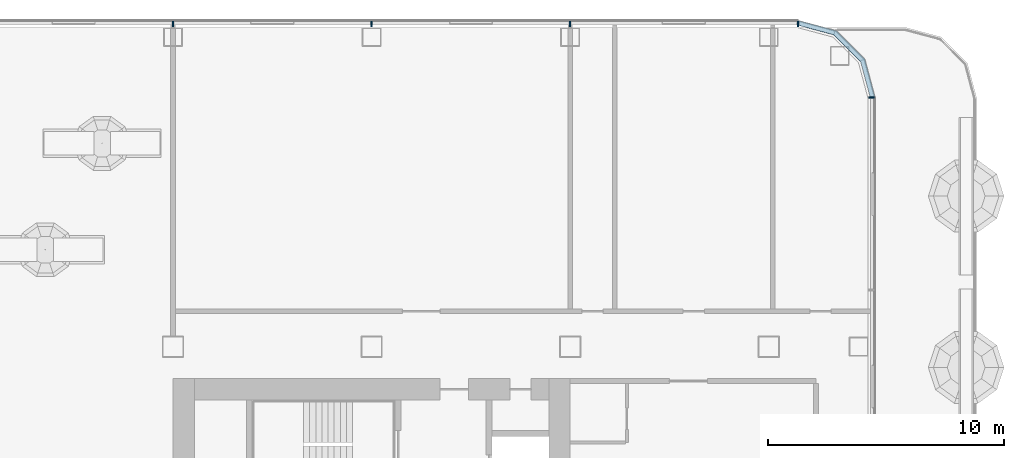
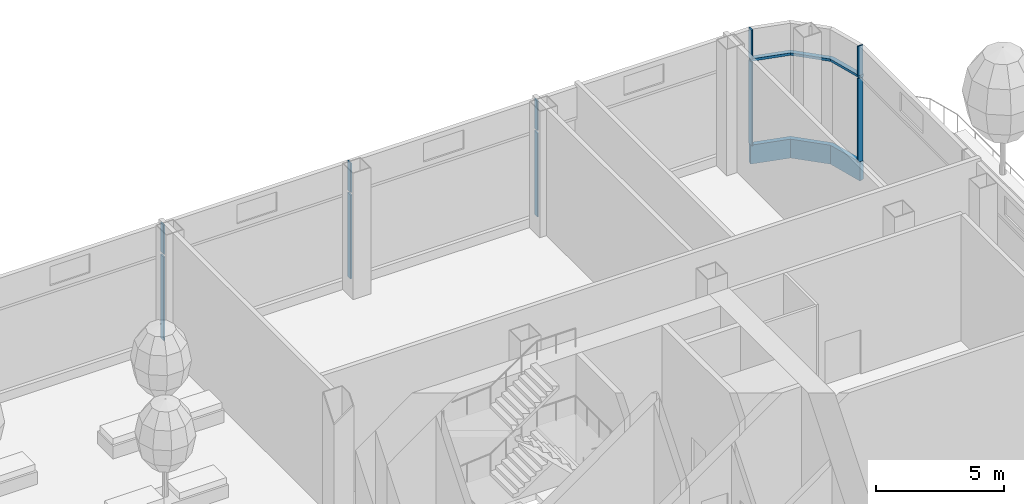
# One storey, part 10 of 44: 12 members, 3 elements without a shape of their own.
"""IFC4 building model written with IfcOpenShell, lengths in metres."""

import ifcopenshell
import ifcopenshell.guid

model = None  # the IFC model being written
_history = None  # IfcOwnerHistory: only IFC2X3 demands one
_inside = {}  # id of a spatial element -> (the spatial element, [elements in it])
_under = {}  # id of a project, library or spatial element -> (it, [spatial elements below it])
_declared = {}  # id of a project -> (the project, [libraries it declares])
_typed = {}  # id of a type object -> (the type object, [elements of that type])
_made_of = {}  # id of a material, layer set ... -> (it, [elements and type objects made of it])


def new_model(schema):
    """Start an empty IFC model of exactly this schema.

    Asked for "IFC4X3", IfcOpenShell would pick the latest addendum, in which some entities
    have other attributes; the version numbers below select the first issue.
    IFC2X3 requires an IfcOwnerHistory on every rooted entity: one is made here for all.
    """
    global model, _history
    if schema == "IFC4X3":
        model = ifcopenshell.file(schema_version=(4, 3, 0, 0))
    else:
        model = ifcopenshell.file(schema=schema)
    _inside.clear()
    _under.clear()
    _declared.clear()
    _typed.clear()
    _made_of.clear()
    _history = None
    if model.schema == "IFC2X3":
        org = make("IfcOrganization", Name="unknown")
        user = make(
            "IfcPersonAndOrganization",
            ThePerson=make("IfcPerson", FamilyName="unknown"),
            TheOrganization=org,
        )
        app = make(
            "IfcApplication",
            ApplicationDeveloper=org,
            Version="unknown",
            ApplicationFullName="unknown",
            ApplicationIdentifier="unknown",
        )
        _history = make(
            "IfcOwnerHistory",
            OwningUser=user,
            OwningApplication=app,
            ChangeAction="ADDED",
            CreationDate=0,
        )
    return model


def make(cls, **values):
    """One entity of the class cls with the attributes given. An attribute that is None is left unset."""
    return model.create_entity(
        cls, **{name: value for name, value in values.items() if value is not None}
    )


def rooted(cls, **values):
    """An entity with a GlobalId (a new one), such as an element, a storey or a relation."""
    return make(cls, GlobalId=ifcopenshell.guid.new(), OwnerHistory=_history, **values)


def si_unit(unit_type, name, prefix=None):
    """IfcSIUnit, for example si_unit("LENGTHUNIT", "METRE", prefix="MILLI")."""
    return make("IfcSIUnit", UnitType=unit_type, Prefix=prefix, Name=name)


def assignment(units):
    """IfcUnitAssignment: the units of a project."""
    return None if units is None else make("IfcUnitAssignment", Units=units)


def point(xyz):
    """IfcCartesianPoint."""
    return None if xyz is None else make("IfcCartesianPoint", Coordinates=xyz)


def direction(xyz):
    """IfcDirection."""
    return None if xyz is None else make("IfcDirection", DirectionRatios=xyz)


def frame(location, z_axis=None, x_axis=None):
    """IfcAxis2Placement3D, a coordinate frame: its origin and axes. An axis left out is left unset."""
    return make(
        "IfcAxis2Placement3D",
        Location=point(location),
        Axis=direction(z_axis),
        RefDirection=direction(x_axis),
    )


def frame_2d(location, x_axis=None):
    """IfcAxis2Placement2D, a coordinate frame in the plane: its origin and x axis."""
    return make(
        "IfcAxis2Placement2D", Location=point(location), RefDirection=direction(x_axis)
    )


def origin():
    """The frame at (0, 0, 0) with its axes left unset."""
    return frame((0.0, 0.0, 0.0))


def origin_2d():
    """The frame at (0, 0) in the plane with its x axis left unset."""
    return frame_2d((0.0, 0.0))


def place(relative_to, where):
    """IfcLocalPlacement: puts the frame where relative to a parent placement (None: the world)."""
    return make(
        "IfcLocalPlacement", PlacementRelTo=relative_to, RelativePlacement=where
    )


def context(
    kind, dimensions, precision=None, world=None, true_north=None, identifier=None
):
    """IfcGeometricRepresentationContext, for example the 3D "Model" context."""
    return make(
        "IfcGeometricRepresentationContext",
        ContextIdentifier=identifier,
        ContextType=kind,
        CoordinateSpaceDimension=dimensions,
        Precision=precision,
        WorldCoordinateSystem=world,
        TrueNorth=true_north,
    )


def subcontext(parent, identifier, kind, view, scale=None):
    """IfcGeometricRepresentationSubContext, for example "Body" below "Model"."""
    return make(
        "IfcGeometricRepresentationSubContext",
        ContextIdentifier=identifier,
        ContextType=kind,
        ParentContext=parent,
        TargetScale=scale,
        TargetView=view,
    )


def project(units=None, contexts=None):
    """IfcProject with its units and contexts."""
    return rooted(
        "IfcProject",
        Name="project",
        RepresentationContexts=contexts,
        UnitsInContext=assignment(units),
    )


def spatial(cls, under=None, at=None, **own):
    """A site, building, storey or space (cls), placed at a placement, below another one or the project."""
    s = rooted(cls, ObjectPlacement=at, **own)
    if under is not None:
        _under.setdefault(under.id(), (under, []))[1].append(s)
    return s


def polyline(points):
    """IfcPolyline through the points."""
    return make("IfcPolyline", Points=[point(p) for p in points])


def profile(cls, at=None, kind="AREA", **sizes):
    """A parametric profile (cls). Its sizes go by their IFC names, for example OverallWidth=200.0."""
    return make(cls, ProfileType=kind, Position=at, **sizes)


def rectangle(**sizes):
    """IfcRectangleProfileDef."""
    return profile("IfcRectangleProfileDef", **sizes)


def outline(outer, holes=None, kind="AREA"):
    """IfcArbitraryClosedProfileDef: a profile drawn as a closed curve; with holes, ...WithVoids."""
    if holes is None:
        return make("IfcArbitraryClosedProfileDef", ProfileType=kind, OuterCurve=outer)
    return make(
        "IfcArbitraryProfileDefWithVoids",
        ProfileType=kind,
        OuterCurve=outer,
        InnerCurves=holes,
    )


def extrude(swept, where, along, depth):
    """IfcExtrudedAreaSolid: the profile swept, set in the frame where, extruded along a direction by depth."""
    return make(
        "IfcExtrudedAreaSolid",
        SweptArea=swept,
        Position=where,
        ExtrudedDirection=direction(along),
        Depth=depth,
    )


def shape(context_of_items, identifier, shape_type, items):
    """IfcShapeRepresentation: the items that make up one representation, for example the "Body"."""
    return make(
        "IfcShapeRepresentation",
        ContextOfItems=context_of_items,
        RepresentationIdentifier=identifier,
        RepresentationType=shape_type,
        Items=items,
    )


def material(Name=None, Category=None):
    """IfcMaterial."""
    return make("IfcMaterial", Name=Name, Category=Category)


def layer(
    of_material, thickness, ventilated=None, Name=None, Category=None, Priority=None
):
    """IfcMaterialLayer: one layer of a wall or slab, of a material (None: an air gap)."""
    return make(
        "IfcMaterialLayer",
        Material=of_material,
        LayerThickness=thickness,
        IsVentilated=ventilated,
        Name=Name,
        Category=Category,
        Priority=Priority,
    )


def layer_set(layers, Name=None):
    """IfcMaterialLayerSet."""
    return make("IfcMaterialLayerSet", MaterialLayers=layers, LayerSetName=Name)


def material_profile(
    of_material, cross_section, Name=None, Category=None, Priority=None
):
    """IfcMaterialProfile: a cross section and its material."""
    return make(
        "IfcMaterialProfile",
        Name=Name,
        Material=of_material,
        Profile=cross_section,
        Priority=Priority,
        Category=Category,
    )


def profile_set(profiles, Name=None, composite=None):
    """IfcMaterialProfileSet."""
    return make(
        "IfcMaterialProfileSet",
        Name=Name,
        MaterialProfiles=profiles,
        CompositeProfile=composite,
    )


def made_of(thing, what):
    """Note that an element or type object is made of a material, layer set ...; save() writes the relation."""
    if what is not None:
        _made_of.setdefault(what.id(), (what, []))[1].append(thing)
    return thing


def type_object(cls, material=None, **own):
    """A type object (cls), such as IfcWallType, which elements share."""
    return made_of(rooted(cls, **own), material)


def element(
    cls,
    number,
    at=None,
    inside=None,
    cuts=None,
    type_object=None,
    material=None,
    context=None,
    identifier="Body",
    shape_type=None,
    held_by="IfcProductDefinitionShape",
    body=None,
    shapes=None,
    **own,
):
    """One element of the class cls, such as IfcWall. Its Tag is "e" and its number.

    at: its placement. inside: the storey or other place that contains it. cuts: it is an
    opening in that element (IfcRelVoidsElement). A single representation is given by context,
    identifier, shape_type and body (its items); several are given by shapes. held_by: the class
    of the entity that holds the representations. save() writes the other relations.
    """
    e = rooted(cls, Tag="e%d" % number, ObjectPlacement=at, **own)
    if body is not None:
        shapes = [shape(context, identifier, shape_type, body)]
    if shapes is not None:
        e.Representation = make(held_by, Representations=shapes)
    if inside is not None:
        _inside.setdefault(inside.id(), (inside, []))[1].append(e)
    if cuts is not None:
        rooted(
            "IfcRelVoidsElement", RelatingBuildingElement=cuts, RelatedOpeningElement=e
        )
    if type_object is not None:
        _typed.setdefault(type_object.id(), (type_object, []))[1].append(e)
    return made_of(e, material)


def aggregate(whole, parts):
    """IfcRelAggregates: a whole, such as a stair, and the parts it consists of."""
    return rooted("IfcRelAggregates", RelatingObject=whole, RelatedObjects=parts)


def save(model, path):
    """Write the relations noted so far, then the file.

    IfcRelAggregates (storeys below a building ...), IfcRelContainedInSpatialStructure (elements
    in a storey), IfcRelDefinesByType, IfcRelAssociatesMaterial and IfcRelDeclares: one each for
    every whole, place, type object, material and project.
    """
    for whole, parts in _under.values():
        aggregate(whole, parts)
    for where, things in _inside.values():
        rooted(
            "IfcRelContainedInSpatialStructure",
            RelatedElements=things,
            RelatingStructure=where,
        )
    for kind, things in _typed.values():
        rooted("IfcRelDefinesByType", RelatedObjects=things, RelatingType=kind)
    for what, things in _made_of.values():
        rooted("IfcRelAssociatesMaterial", RelatedObjects=things, RelatingMaterial=what)
    for by, libraries in _declared.values():
        rooted("IfcRelDeclares", RelatingContext=by, RelatedDefinitions=libraries)
    model.write(path)


model = new_model("IFC4")

# Units and contexts
model_context = context("Model", 3, precision=1e-05, world=origin(), true_north=direction((0.0, 1.0)))
body_context = subcontext(model_context, "Body", "Model", "MODEL_VIEW")
ifc_project = project(units=[si_unit("LENGTHUNIT", "METRE"), si_unit("AREAUNIT", "SQUARE_METRE"), si_unit("VOLUMEUNIT", "CUBIC_METRE"), si_unit("PLANEANGLEUNIT", "RADIAN"), si_unit("MASSUNIT", "GRAM", prefix="KILO")], contexts=[model_context])

# Site, building, storey
site_placement = place(None, origin())
site = spatial("IfcSite", under=ifc_project, at=site_placement, CompositionType="ELEMENT")
building_placement = place(site_placement, origin())
building = spatial("IfcBuilding", under=site, at=building_placement, Name="Hakoniwa Tower and Hamabe Station Hall", CompositionType="ELEMENT")
storey_placement = place(building_placement, frame((0.0, 0.0, 69.0)))
storey = spatial("IfcBuildingStorey", under=building, at=storey_placement, Name="L19", CompositionType="ELEMENT", Elevation=69.0)

# Curtain wall, members
ifc_material_1 = material(Name="Dark low-e laminated glass", Category="glass")
ifc_layer = layer(ifc_material_1, 0.199951171875)
ifc_layer_set = layer_set([ifc_layer], Name="CW-2 SKY GARDEN")
curtain_wall_type = type_object("IfcCurtainWallType", Name="CW-2 SKY GARDEN", PredefinedType="NOTDEFINED", material=ifc_layer_set)
curtain_wall_1_placement = place(storey_placement, origin())
curtain_wall_1 = element("IfcCurtainWall", 1, at=curtain_wall_1_placement, inside=storey, type_object=curtain_wall_type, Name="CW-2 curtain wall", PredefinedType="NOTDEFINED")
ifc_material_2 = material(Name="Aluminium 6063-T5 black anodised", Category="aluminium")
ifc_material_profile_1 = material_profile(ifc_material_2, rectangle(XDim=0.199951171875, YDim=0.1201171875, at=origin_2d()), Name="CW MID TRANSOM 120X200")
ifc_profile_set_1 = profile_set([ifc_material_profile_1], Name="Aluminium 6063-T5 black anodised")
member_type_1 = type_object("IfcMemberType", Name="CW MID TRANSOM 120X200", PredefinedType="USERDEFINED", material=ifc_profile_set_1)
member_1_placement = place(storey_placement, frame((0.0, 0.0, 4.330078125)))
member_1 = element("IfcMember", 2, at=member_1_placement, type_object=member_type_1, Name="CW-2 transom", ObjectType="TRANSOM", PredefinedType="USERDEFINED", context=body_context, shape_type="SweptSolid", body=[
    extrude(outline(polyline([(46.5, 20.28955078125), (46.067138671875, 21.9052734375), (44.855224609375, 23.116943359375), (43.239501953125, 23.550048828125), (43.187744140625, 23.35693359375), (44.751708984375, 22.937744140625), (45.8876953125, 21.8017578125), (46.306884765625, 20.23779296875), (46.5, 20.28955078125)])), origin(), (0.0, 0.0, 1.0), 0.119873046875),
])
ifc_material_3 = material(Name="Aluminium 6063-T5 black anodised", Category="aluminium")
ifc_material_profile_2 = material_profile(ifc_material_3, rectangle(XDim=0.199951171875, YDim=0.89990234375, at=origin_2d()), Name="CW SLAB-EDGE BAND 900X200")
ifc_profile_set_2 = profile_set([ifc_material_profile_2], Name="Aluminium 6063-T5 black anodised")
member_type_2 = type_object("IfcMemberType", Name="CW SLAB-EDGE BAND 900X200", PredefinedType="USERDEFINED", material=ifc_profile_set_2)
member_2_placement = place(storey_placement, frame((0.0, 0.0, -0.550048828125)))
member_2 = element("IfcMember", 3, at=member_2_placement, type_object=member_type_2, Name="CW-2 transom", ObjectType="TRANSOM", PredefinedType="USERDEFINED", context=body_context, shape_type="SweptSolid", body=[
    extrude(outline(polyline([(46.5, 20.28955078125), (46.067138671875, 21.9052734375), (44.855224609375, 23.116943359375), (43.239501953125, 23.550048828125), (43.187744140625, 23.35693359375), (44.751708984375, 22.937744140625), (45.8876953125, 21.8017578125), (46.306884765625, 20.23779296875), (46.5, 20.28955078125)])), origin(), (0.0, 0.0, 1.0), 0.900146484375),
])
aggregate(curtain_wall_1, [member_2, member_1])

curtain_wall_2_placement = place(storey_placement, origin())
curtain_wall_2 = element("IfcCurtainWall", 4, at=curtain_wall_2_placement, inside=storey, type_object=curtain_wall_type, Name="CW-2 curtain wall", PredefinedType="NOTDEFINED")
ifc_material_4 = material(Name="Aluminium 6063-T5 black anodised", Category="aluminium")
ifc_material_profile_3 = material_profile(ifc_material_4, rectangle(XDim=0.06005859375, YDim=0.239990234375, at=origin_2d()), Name="CW-2 MULLION 60X240")
ifc_profile_set_3 = profile_set([ifc_material_profile_3], Name="Aluminium 6063-T5 black anodised")
member_type_3 = type_object("IfcMemberType", Name="CW-2 MULLION 60X240", PredefinedType="MULLION", material=ifc_profile_set_3)
member_3_placement = place(storey_placement, frame((46.35205078125, 20.28955078125, 0.35009765625), z_axis=(0.0, 0.0, 1.0), x_axis=(0.0, 1.0, 0.0)))
member_3 = element("IfcMember", 5, at=member_3_placement, type_object=member_type_3, Name="CW-2 mullion", PredefinedType="MULLION", context=body_context, shape_type="SweptSolid", body=[
    extrude(rectangle(XDim=0.06005859375, YDim=0.239990234375, at=origin_2d()), origin(), (0.0, 0.0, 1.0), 3.97998046875),
])
member_4_placement = place(storey_placement, frame((46.35205078125, 20.28955078125, 4.449951171875), z_axis=(0.0, 0.0, 1.0), x_axis=(0.0, 1.0, 0.0)))
member_4 = element("IfcMember", 6, at=member_4_placement, type_object=member_type_3, Name="CW-2 mullion", PredefinedType="MULLION", context=body_context, shape_type="SweptSolid", body=[
    extrude(rectangle(XDim=0.06005859375, YDim=0.239990234375, at=origin_2d()), origin(), (0.0, 0.0, 1.0), 1.400146484375),
])
aggregate(curtain_wall_2, [member_3, member_4])

curtain_wall_3_placement = place(storey_placement, origin())
curtain_wall_3 = element("IfcCurtainWall", 7, at=curtain_wall_3_placement, inside=storey, type_object=curtain_wall_type, Name="CW-2 curtain wall", PredefinedType="NOTDEFINED")
member_5_placement = place(storey_placement, frame((43.239501953125, 23.402099609375, 0.35009765625), z_axis=(0.0, 0.0, 1.0), x_axis=(-1.0, 0.0, 0.0)))
member_5 = element("IfcMember", 8, at=member_5_placement, type_object=member_type_3, Name="CW-2 mullion", PredefinedType="MULLION", context=body_context, shape_type="SweptSolid", body=[
    extrude(rectangle(XDim=0.06005859375, YDim=0.239990234375, at=origin_2d()), origin(), (0.0, 0.0, 1.0), 3.97998046875),
])
member_6_placement = place(storey_placement, frame((43.239501953125, 23.402099609375, 4.449951171875), z_axis=(0.0, 0.0, 1.0), x_axis=(-1.0, 0.0, 0.0)))
member_6 = element("IfcMember", 9, at=member_6_placement, type_object=member_type_3, Name="CW-2 mullion", PredefinedType="MULLION", context=body_context, shape_type="SweptSolid", body=[
    extrude(rectangle(XDim=0.06005859375, YDim=0.239990234375, at=origin_2d()), origin(), (0.0, 0.0, 1.0), 1.400146484375),
])
member_7_placement = place(storey_placement, frame((33.60009765625, 23.402099609375, 0.35009765625), z_axis=(0.0, 0.0, 1.0), x_axis=(-1.0, 0.0, 0.0)))
member_7 = element("IfcMember", 10, at=member_7_placement, type_object=member_type_3, Name="CW-2 mullion", PredefinedType="MULLION", context=body_context, shape_type="SweptSolid", body=[
    extrude(rectangle(XDim=0.06005859375, YDim=0.239990234375, at=origin_2d()), origin(), (0.0, 0.0, 1.0), 3.97998046875),
])
member_8_placement = place(storey_placement, frame((33.60009765625, 23.402099609375, 4.449951171875), z_axis=(0.0, 0.0, 1.0), x_axis=(-1.0, 0.0, 0.0)))
member_8 = element("IfcMember", 11, at=member_8_placement, type_object=member_type_3, Name="CW-2 mullion", PredefinedType="MULLION", context=body_context, shape_type="SweptSolid", body=[
    extrude(rectangle(XDim=0.06005859375, YDim=0.239990234375, at=origin_2d()), origin(), (0.0, 0.0, 1.0), 1.400146484375),
])
member_9_placement = place(storey_placement, frame((25.199951171875, 23.402099609375, 0.35009765625), z_axis=(0.0, 0.0, 1.0), x_axis=(-1.0, 0.0, 0.0)))
member_9 = element("IfcMember", 12, at=member_9_placement, type_object=member_type_3, Name="CW-2 mullion", PredefinedType="MULLION", context=body_context, shape_type="SweptSolid", body=[
    extrude(rectangle(XDim=0.06005859375, YDim=0.239990234375, at=origin_2d()), origin(), (0.0, 0.0, 1.0), 3.97998046875),
])
member_10_placement = place(storey_placement, frame((25.199951171875, 23.402099609375, 4.449951171875), z_axis=(0.0, 0.0, 1.0), x_axis=(-1.0, 0.0, 0.0)))
member_10 = element("IfcMember", 13, at=member_10_placement, type_object=member_type_3, Name="CW-2 mullion", PredefinedType="MULLION", context=body_context, shape_type="SweptSolid", body=[
    extrude(rectangle(XDim=0.06005859375, YDim=0.239990234375, at=origin_2d()), origin(), (0.0, 0.0, 1.0), 1.400146484375),
])
member_11_placement = place(storey_placement, frame((16.800048828125, 23.402099609375, 0.35009765625), z_axis=(0.0, 0.0, 1.0), x_axis=(-1.0, 0.0, 0.0)))
member_11 = element("IfcMember", 14, at=member_11_placement, type_object=member_type_3, Name="CW-2 mullion", PredefinedType="MULLION", context=body_context, shape_type="SweptSolid", body=[
    extrude(rectangle(XDim=0.06005859375, YDim=0.239990234375, at=origin_2d()), origin(), (0.0, 0.0, 1.0), 3.97998046875),
])
member_12_placement = place(storey_placement, frame((16.800048828125, 23.402099609375, 4.449951171875), z_axis=(0.0, 0.0, 1.0), x_axis=(-1.0, 0.0, 0.0)))
member_12 = element("IfcMember", 15, at=member_12_placement, type_object=member_type_3, Name="CW-2 mullion", PredefinedType="MULLION", context=body_context, shape_type="SweptSolid", body=[
    extrude(rectangle(XDim=0.06005859375, YDim=0.239990234375, at=origin_2d()), origin(), (0.0, 0.0, 1.0), 1.400146484375),
])
aggregate(curtain_wall_3, [member_5, member_6, member_7, member_8, member_9, member_10, member_11, member_12])

save(model, "model.ifc")
